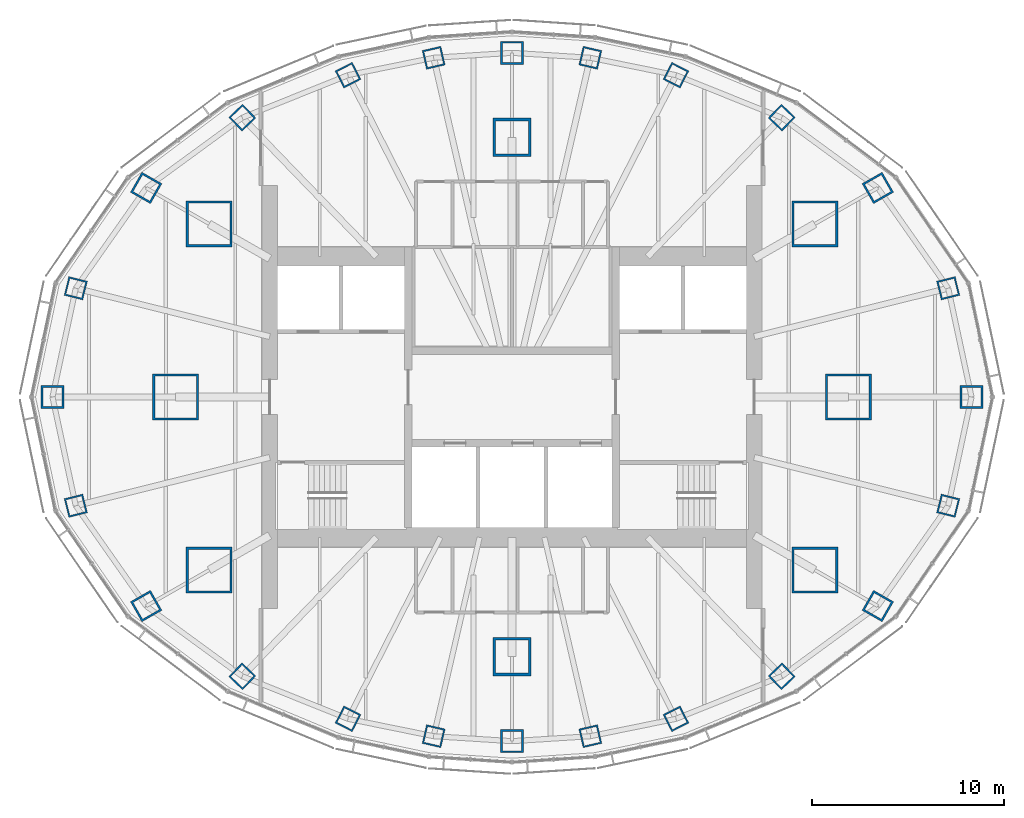
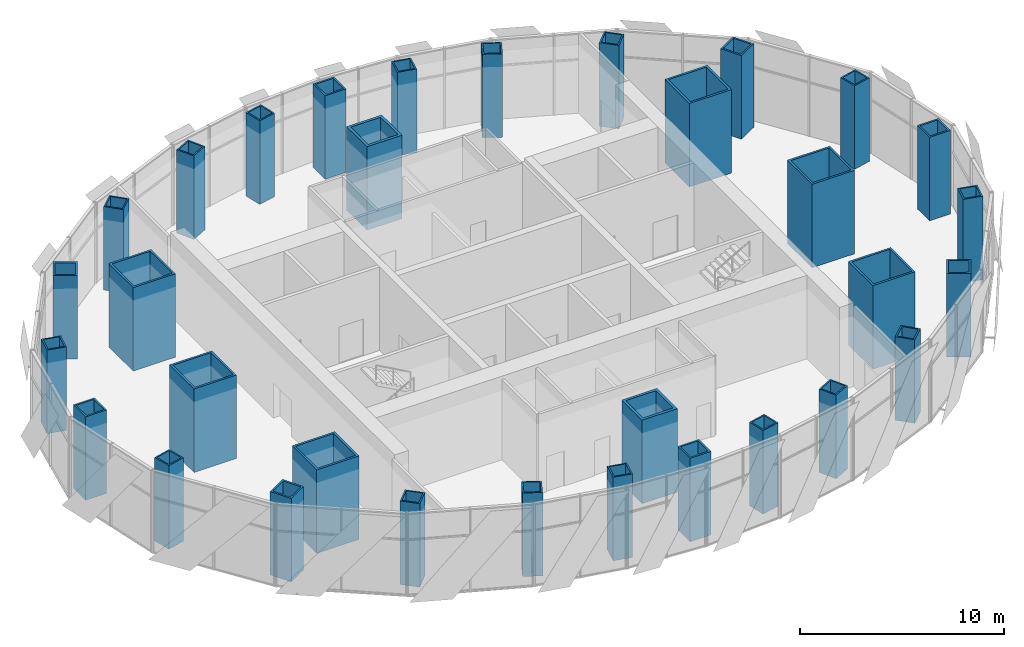
# One storey, part 1 of 17: 32 columns.
"""IFC4 building model written with IfcOpenShell, lengths in metres."""

import ifcopenshell
import ifcopenshell.guid

model = None  # the IFC model being written
_history = None  # IfcOwnerHistory: only IFC2X3 demands one
_inside = {}  # id of a spatial element -> (the spatial element, [elements in it])
_under = {}  # id of a project, library or spatial element -> (it, [spatial elements below it])
_declared = {}  # id of a project -> (the project, [libraries it declares])
_typed = {}  # id of a type object -> (the type object, [elements of that type])
_made_of = {}  # id of a material, layer set ... -> (it, [elements and type objects made of it])


def new_model(schema):
    """Start an empty IFC model of exactly this schema.

    Asked for "IFC4X3", IfcOpenShell would pick the latest addendum, in which some entities
    have other attributes; the version numbers below select the first issue.
    IFC2X3 requires an IfcOwnerHistory on every rooted entity: one is made here for all.
    """
    global model, _history
    if schema == "IFC4X3":
        model = ifcopenshell.file(schema_version=(4, 3, 0, 0))
    else:
        model = ifcopenshell.file(schema=schema)
    _inside.clear()
    _under.clear()
    _declared.clear()
    _typed.clear()
    _made_of.clear()
    _history = None
    if model.schema == "IFC2X3":
        org = make("IfcOrganization", Name="unknown")
        user = make(
            "IfcPersonAndOrganization",
            ThePerson=make("IfcPerson", FamilyName="unknown"),
            TheOrganization=org,
        )
        app = make(
            "IfcApplication",
            ApplicationDeveloper=org,
            Version="unknown",
            ApplicationFullName="unknown",
            ApplicationIdentifier="unknown",
        )
        _history = make(
            "IfcOwnerHistory",
            OwningUser=user,
            OwningApplication=app,
            ChangeAction="ADDED",
            CreationDate=0,
        )
    return model


def make(cls, **values):
    """One entity of the class cls with the attributes given. An attribute that is None is left unset."""
    return model.create_entity(
        cls, **{name: value for name, value in values.items() if value is not None}
    )


def rooted(cls, **values):
    """An entity with a GlobalId (a new one), such as an element, a storey or a relation."""
    return make(cls, GlobalId=ifcopenshell.guid.new(), OwnerHistory=_history, **values)


def si_unit(unit_type, name, prefix=None):
    """IfcSIUnit, for example si_unit("LENGTHUNIT", "METRE", prefix="MILLI")."""
    return make("IfcSIUnit", UnitType=unit_type, Prefix=prefix, Name=name)


def assignment(units):
    """IfcUnitAssignment: the units of a project."""
    return None if units is None else make("IfcUnitAssignment", Units=units)


def point(xyz):
    """IfcCartesianPoint."""
    return None if xyz is None else make("IfcCartesianPoint", Coordinates=xyz)


def direction(xyz):
    """IfcDirection."""
    return None if xyz is None else make("IfcDirection", DirectionRatios=xyz)


def frame(location, z_axis=None, x_axis=None):
    """IfcAxis2Placement3D, a coordinate frame: its origin and axes. An axis left out is left unset."""
    return make(
        "IfcAxis2Placement3D",
        Location=point(location),
        Axis=direction(z_axis),
        RefDirection=direction(x_axis),
    )


def frame_2d(location, x_axis=None):
    """IfcAxis2Placement2D, a coordinate frame in the plane: its origin and x axis."""
    return make(
        "IfcAxis2Placement2D", Location=point(location), RefDirection=direction(x_axis)
    )


def origin():
    """The frame at (0, 0, 0) with its axes left unset."""
    return frame((0.0, 0.0, 0.0))


def origin_2d():
    """The frame at (0, 0) in the plane with its x axis left unset."""
    return frame_2d((0.0, 0.0))


def place(relative_to, where):
    """IfcLocalPlacement: puts the frame where relative to a parent placement (None: the world)."""
    return make(
        "IfcLocalPlacement", PlacementRelTo=relative_to, RelativePlacement=where
    )


def context(
    kind, dimensions, precision=None, world=None, true_north=None, identifier=None
):
    """IfcGeometricRepresentationContext, for example the 3D "Model" context."""
    return make(
        "IfcGeometricRepresentationContext",
        ContextIdentifier=identifier,
        ContextType=kind,
        CoordinateSpaceDimension=dimensions,
        Precision=precision,
        WorldCoordinateSystem=world,
        TrueNorth=true_north,
    )


def subcontext(parent, identifier, kind, view, scale=None):
    """IfcGeometricRepresentationSubContext, for example "Body" below "Model"."""
    return make(
        "IfcGeometricRepresentationSubContext",
        ContextIdentifier=identifier,
        ContextType=kind,
        ParentContext=parent,
        TargetScale=scale,
        TargetView=view,
    )


def project(units=None, contexts=None):
    """IfcProject with its units and contexts."""
    return rooted(
        "IfcProject",
        Name="project",
        RepresentationContexts=contexts,
        UnitsInContext=assignment(units),
    )


def spatial(cls, under=None, at=None, **own):
    """A site, building, storey or space (cls), placed at a placement, below another one or the project."""
    s = rooted(cls, ObjectPlacement=at, **own)
    if under is not None:
        _under.setdefault(under.id(), (under, []))[1].append(s)
    return s


def profile(cls, at=None, kind="AREA", **sizes):
    """A parametric profile (cls). Its sizes go by their IFC names, for example OverallWidth=200.0."""
    return make(cls, ProfileType=kind, Position=at, **sizes)


def rectangle(**sizes):
    """IfcRectangleProfileDef."""
    return profile("IfcRectangleProfileDef", **sizes)


def hollow_rectangle(**sizes):
    """IfcRectangleHollowProfileDef."""
    return profile("IfcRectangleHollowProfileDef", **sizes)


def extrude(swept, where, along, depth):
    """IfcExtrudedAreaSolid: the profile swept, set in the frame where, extruded along a direction by depth."""
    return make(
        "IfcExtrudedAreaSolid",
        SweptArea=swept,
        Position=where,
        ExtrudedDirection=direction(along),
        Depth=depth,
    )


def shape(context_of_items, identifier, shape_type, items):
    """IfcShapeRepresentation: the items that make up one representation, for example the "Body"."""
    return make(
        "IfcShapeRepresentation",
        ContextOfItems=context_of_items,
        RepresentationIdentifier=identifier,
        RepresentationType=shape_type,
        Items=items,
    )


def material(Name=None, Category=None):
    """IfcMaterial."""
    return make("IfcMaterial", Name=Name, Category=Category)


def material_profile(
    of_material, cross_section, Name=None, Category=None, Priority=None
):
    """IfcMaterialProfile: a cross section and its material."""
    return make(
        "IfcMaterialProfile",
        Name=Name,
        Material=of_material,
        Profile=cross_section,
        Priority=Priority,
        Category=Category,
    )


def profile_set(profiles, Name=None, composite=None):
    """IfcMaterialProfileSet."""
    return make(
        "IfcMaterialProfileSet",
        Name=Name,
        MaterialProfiles=profiles,
        CompositeProfile=composite,
    )


def made_of(thing, what):
    """Note that an element or type object is made of a material, layer set ...; save() writes the relation."""
    if what is not None:
        _made_of.setdefault(what.id(), (what, []))[1].append(thing)
    return thing


def type_object(cls, material=None, **own):
    """A type object (cls), such as IfcWallType, which elements share."""
    return made_of(rooted(cls, **own), material)


def element(
    cls,
    number,
    at=None,
    inside=None,
    cuts=None,
    type_object=None,
    material=None,
    context=None,
    identifier="Body",
    shape_type=None,
    held_by="IfcProductDefinitionShape",
    body=None,
    shapes=None,
    **own,
):
    """One element of the class cls, such as IfcWall. Its Tag is "e" and its number.

    at: its placement. inside: the storey or other place that contains it. cuts: it is an
    opening in that element (IfcRelVoidsElement). A single representation is given by context,
    identifier, shape_type and body (its items); several are given by shapes. held_by: the class
    of the entity that holds the representations. save() writes the other relations.
    """
    e = rooted(cls, Tag="e%d" % number, ObjectPlacement=at, **own)
    if body is not None:
        shapes = [shape(context, identifier, shape_type, body)]
    if shapes is not None:
        e.Representation = make(held_by, Representations=shapes)
    if inside is not None:
        _inside.setdefault(inside.id(), (inside, []))[1].append(e)
    if cuts is not None:
        rooted(
            "IfcRelVoidsElement", RelatingBuildingElement=cuts, RelatedOpeningElement=e
        )
    if type_object is not None:
        _typed.setdefault(type_object.id(), (type_object, []))[1].append(e)
    return made_of(e, material)


def aggregate(whole, parts):
    """IfcRelAggregates: a whole, such as a stair, and the parts it consists of."""
    return rooted("IfcRelAggregates", RelatingObject=whole, RelatedObjects=parts)


def save(model, path):
    """Write the relations noted so far, then the file.

    IfcRelAggregates (storeys below a building ...), IfcRelContainedInSpatialStructure (elements
    in a storey), IfcRelDefinesByType, IfcRelAssociatesMaterial and IfcRelDeclares: one each for
    every whole, place, type object, material and project.
    """
    for whole, parts in _under.values():
        aggregate(whole, parts)
    for where, things in _inside.values():
        rooted(
            "IfcRelContainedInSpatialStructure",
            RelatedElements=things,
            RelatingStructure=where,
        )
    for kind, things in _typed.values():
        rooted("IfcRelDefinesByType", RelatedObjects=things, RelatingType=kind)
    for what, things in _made_of.values():
        rooted("IfcRelAssociatesMaterial", RelatedObjects=things, RelatingMaterial=what)
    for by, libraries in _declared.values():
        rooted("IfcRelDeclares", RelatingContext=by, RelatedDefinitions=libraries)
    model.write(path)


model = new_model("IFC4")

# Units and contexts
model_context = context("Model", 3, precision=1e-05, world=origin(), true_north=direction((0.0, 1.0)))
body_context = subcontext(model_context, "Body", "Model", "MODEL_VIEW")
ifc_project = project(units=[si_unit("LENGTHUNIT", "METRE"), si_unit("AREAUNIT", "SQUARE_METRE"), si_unit("VOLUMEUNIT", "CUBIC_METRE"), si_unit("PLANEANGLEUNIT", "RADIAN"), si_unit("MASSUNIT", "GRAM", prefix="KILO")], contexts=[model_context])

# Site, building, storey
site_placement = place(None, origin())
site = spatial("IfcSite", under=ifc_project, at=site_placement, CompositionType="ELEMENT")
building_placement = place(site_placement, origin())
building = spatial("IfcBuilding", under=site, at=building_placement, Name="Lantaw Convention Tower", CompositionType="ELEMENT")
storey_placement = place(building_placement, frame((0.0, 0.0, 279.39990234375)))
storey = spatial("IfcBuildingStorey", under=building, at=storey_placement, Name="L65", CompositionType="ELEMENT", Elevation=279.39990234375)

# Columns
ifc_material_1 = material(Name="Steel EN 10025-3 S460N", Category="steel")
ifc_material_profile_1 = material_profile(ifc_material_1, hollow_rectangle(XDim=2.0, YDim=2.0, WallThickness=0.14990234375, at=origin_2d()), Name="BOX2000X150")
ifc_material_2 = material(Name="Concrete C60/75", Category="concrete")
ifc_material_profile_2 = material_profile(ifc_material_2, rectangle(XDim=1.699951171875, YDim=1.699951171875, at=origin_2d()), Name="Concrete fill of BOX2000X150")
ifc_profile_set_1 = profile_set([ifc_material_profile_1, ifc_material_profile_2], Name="Steel EN 10025-3 S460N")
column_type_1 = type_object("IfcColumnType", Name="Column MC BOX2000X150", PredefinedType="COLUMN", material=ifc_profile_set_1)
for number, where, z_axis, x_axis, name in (
    (1, (0.0, 13.5, 0.0), (0.0, 0.0, 1.0), (1.0, 0.0, 0.0), "Mega column M3"),
    (2, (0.0, -13.5, 0.0), (0.0, 0.0, 1.0), (1.0, 0.0, 0.0), "Mega column M7"),
):
    element("IfcColumn", number, at=place(storey_placement, frame(where, z_axis=z_axis, x_axis=x_axis)), inside=storey, type_object=column_type_1, Name=name, PredefinedType="COLUMN", context=body_context, shape_type="SweptSolid", body=[
        extrude(hollow_rectangle(XDim=2.0, YDim=2.0, WallThickness=0.14990234375, at=origin_2d()), origin(), (0.0, 0.0, 1.0), 5.0),
    ])
ifc_material_profile_3 = material_profile(ifc_material_1, hollow_rectangle(XDim=2.39990234375, YDim=2.39990234375, WallThickness=0.1201171875, at=origin_2d()), Name="BOX2400X120")
ifc_material_profile_4 = material_profile(ifc_material_2, rectangle(XDim=2.159912109375, YDim=2.159912109375, at=origin_2d()), Name="Concrete fill of BOX2400X120")
ifc_profile_set_2 = profile_set([ifc_material_profile_3, ifc_material_profile_4], Name="Steel EN 10025-3 S460N")
column_type_2 = type_object("IfcColumnType", Name="Column MC BOX2400X120", PredefinedType="COLUMN", material=ifc_profile_set_2)
for number, where, z_axis, x_axis, name in (
    (3, (17.5, 0.0, 0.0), (0.0, 0.0, 1.0), (1.0, 0.0, 0.0), "Mega column M1"),
    (4, (15.75, 9.0, 0.0), (0.0, 0.0, 1.0), (1.0, 0.0, 0.0), "Mega column M2"),
    (5, (-15.75, 9.0, 0.0), (0.0, 0.0, 1.0), (1.0, 0.0, 0.0), "Mega column M4"),
    (6, (-17.5, 0.0, 0.0), (0.0, 0.0, 1.0), (1.0, 0.0, 0.0), "Mega column M5"),
    (7, (-15.75, -9.0, 0.0), (0.0, 0.0, 1.0), (1.0, 0.0, 0.0), "Mega column M6"),
    (8, (15.75, -9.0, 0.0), (0.0, 0.0, 1.0), (1.0, 0.0, 0.0), "Mega column M8"),
):
    element("IfcColumn", number, at=place(storey_placement, frame(where, z_axis=z_axis, x_axis=x_axis)), inside=storey, type_object=column_type_2, Name=name, PredefinedType="COLUMN", context=body_context, shape_type="SweptSolid", body=[
        extrude(hollow_rectangle(XDim=2.39990234375, YDim=2.39990234375, WallThickness=0.1201171875, at=origin_2d()), origin(), (0.0, 0.0, 1.0), 5.0),
    ])
ifc_material_3 = material(Name="Steel ASTM A572 Grade 50", Category="steel")
ifc_material_profile_5 = material_profile(ifc_material_3, hollow_rectangle(XDim=1.0, YDim=1.0, WallThickness=0.080078125, at=origin_2d()), Name="BOX1000X80")
ifc_material_profile_6 = material_profile(ifc_material_2, rectangle(XDim=0.840087890625, YDim=0.840087890625, at=origin_2d()), Name="Concrete fill of BOX1000X80")
ifc_profile_set_3 = profile_set([ifc_material_profile_5, ifc_material_profile_6], Name="Steel ASTM A572 Grade 50")
column_type_3 = type_object("IfcColumnType", Name="Column PC BOX1000X80", PredefinedType="COLUMN", material=ifc_profile_set_3)
for number, where, z_axis, x_axis, name in (
    (9, (22.68701171875, 5.656494140625, 0.0), (0.0, 0.0, 1.0), (0.970295726276, 0.2419218956, 0.0), "Perimeter column P2"),
    (10, (14.027587890625, 14.526123046875, 0.0), (0.0, 0.0, 1.0), (0.694658370459, 0.719339800339, 0.0), "Perimeter column P4"),
    (11, (8.5283203125, 16.73779296875, 0.0), (0.0, 0.0, 1.0), (0.45399049974, 0.891006524188, 0.0), "Perimeter column P5"),
    (12, (4.072998046875, 17.642333984375, 0.0), (0.0, 0.0, 1.0), (0.224951054344, 0.974370064785, 0.0), "Perimeter column P6"),
    (13, (-4.072998046875, 17.642333984375, 0.0), (0.0, 0.0, 1.0), (0.974370064785, 0.224951054344, 0.0), "Perimeter column P8"),
    (14, (-8.5283203125, 16.73779296875, 0.0), (0.0, 0.0, 1.0), (0.891006524188, 0.45399049974, 0.0), "Perimeter column P9"),
    (15, (-14.027587890625, 14.526123046875, 0.0), (0.0, 0.0, 1.0), (0.719339800339, 0.694658370459, 0.0), "Perimeter column P10"),
    (16, (-22.68701171875, 5.656494140625, 0.0), (0.0, 0.0, 1.0), (0.2419218956, 0.970295726276, 0.0), "Perimeter column P12"),
    (17, (-22.68701171875, -5.656494140625, 0.0), (0.0, 0.0, 1.0), (0.970295726276, 0.2419218956, 0.0), "Perimeter column P14"),
    (18, (-14.027587890625, -14.526123046875, 0.0), (0.0, 0.0, 1.0), (0.694658370459, 0.719339800339, 0.0), "Perimeter column P16"),
    (19, (-8.5283203125, -16.73779296875, 0.0), (0.0, 0.0, 1.0), (0.45399049974, 0.891006524188, 0.0), "Perimeter column P17"),
    (20, (-4.072998046875, -17.642333984375, 0.0), (0.0, 0.0, 1.0), (0.224951054344, 0.974370064785, 0.0), "Perimeter column P18"),
    (21, (4.072998046875, -17.642333984375, 0.0), (0.0, 0.0, 1.0), (0.974370064785, 0.224951054344, 0.0), "Perimeter column P20"),
    (22, (8.5283203125, -16.73779296875, 0.0), (0.0, 0.0, 1.0), (0.891006524188, 0.45399049974, 0.0), "Perimeter column P21"),
    (23, (14.027587890625, -14.526123046875, 0.0), (0.0, 0.0, 1.0), (0.719339800339, 0.694658370459, 0.0), "Perimeter column P22"),
    (24, (22.68701171875, -5.656494140625, 0.0), (0.0, 0.0, 1.0), (0.2419218956, 0.970295726276, 0.0), "Perimeter column P24"),
):
    element("IfcColumn", number, at=place(storey_placement, frame(where, z_axis=z_axis, x_axis=x_axis)), inside=storey, type_object=column_type_3, Name=name, PredefinedType="COLUMN", context=body_context, shape_type="SweptSolid", body=[
        extrude(hollow_rectangle(XDim=1.0, YDim=1.0, WallThickness=0.080078125, at=origin_2d()), origin(), (0.0, 0.0, 1.0), 5.0),
    ])
ifc_material_profile_7 = material_profile(ifc_material_1, hollow_rectangle(XDim=1.199951171875, YDim=1.199951171875, WallThickness=0.10009765625, at=origin_2d()), Name="BOX1200X100")
ifc_material_profile_8 = material_profile(ifc_material_2, rectangle(XDim=1.0, YDim=1.0, at=origin_2d()), Name="Concrete fill of BOX1200X100")
ifc_profile_set_4 = profile_set([ifc_material_profile_7, ifc_material_profile_8], Name="Steel EN 10025-3 S460N")
column_type_4 = type_object("IfcColumnType", Name="Column PC BOX1200X100", PredefinedType="COLUMN", material=ifc_profile_set_4)
for number, where, z_axis, x_axis, name in (
    (25, (23.89990234375, 0.0, 0.0), (0.0, 0.0, 1.0), (1.0, 0.0, 0.0), "Perimeter column P1"),
    (26, (19.02685546875, 10.87255859375, 0.0), (0.0, 0.0, 1.0), (0.86824298017, 0.496139221777, 0.0), "Perimeter column P3"),
    (27, (0.0, 17.89990234375, 0.0), (0.0, 0.0, 1.0), (1.0, 0.0, 0.0), "Perimeter column P7"),
    (28, (-19.02685546875, 10.87255859375, 0.0), (0.0, 0.0, 1.0), (0.496139221777, 0.86824298017, 0.0), "Perimeter column P11"),
    (29, (-23.89990234375, 0.0, 0.0), (0.0, 0.0, 1.0), (1.0, 0.0, 0.0), "Perimeter column P13"),
    (30, (-19.02685546875, -10.87255859375, 0.0), (0.0, 0.0, 1.0), (0.86824298017, 0.496139221777, 0.0), "Perimeter column P15"),
    (31, (0.0, -17.89990234375, 0.0), (0.0, 0.0, 1.0), (1.0, 0.0, 0.0), "Perimeter column P19"),
    (32, (19.02685546875, -10.87255859375, 0.0), (0.0, 0.0, 1.0), (0.496139221777, 0.86824298017, 0.0), "Perimeter column P23"),
):
    element("IfcColumn", number, at=place(storey_placement, frame(where, z_axis=z_axis, x_axis=x_axis)), inside=storey, type_object=column_type_4, Name=name, PredefinedType="COLUMN", context=body_context, shape_type="SweptSolid", body=[
        extrude(hollow_rectangle(XDim=1.199951171875, YDim=1.199951171875, WallThickness=0.10009765625, at=origin_2d()), origin(), (0.0, 0.0, 1.0), 5.0),
    ])

save(model, "model.ifc")
